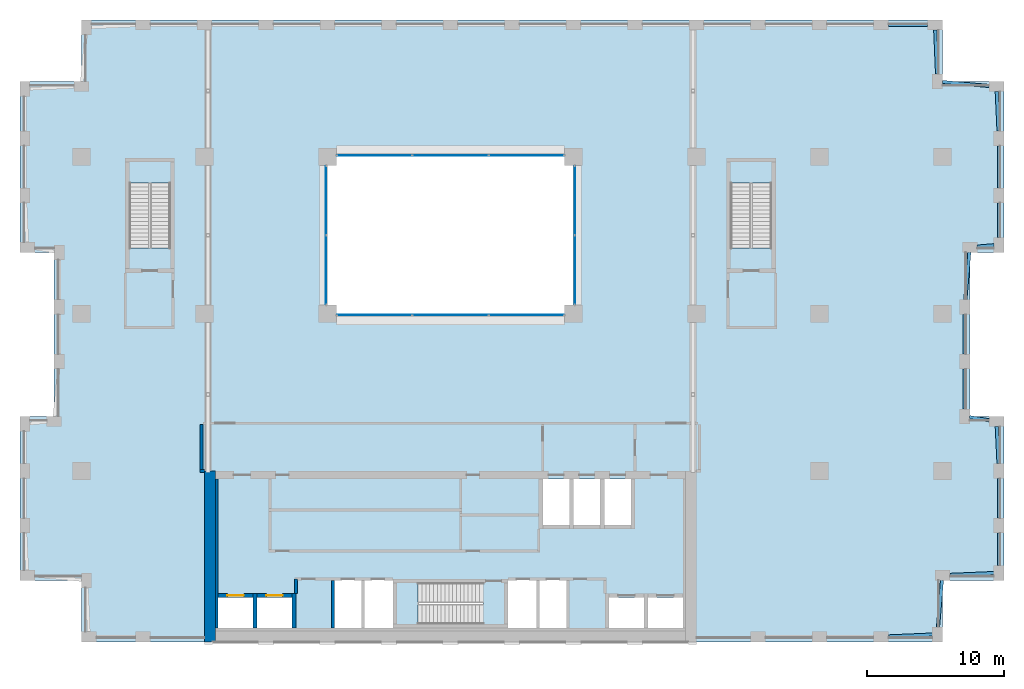
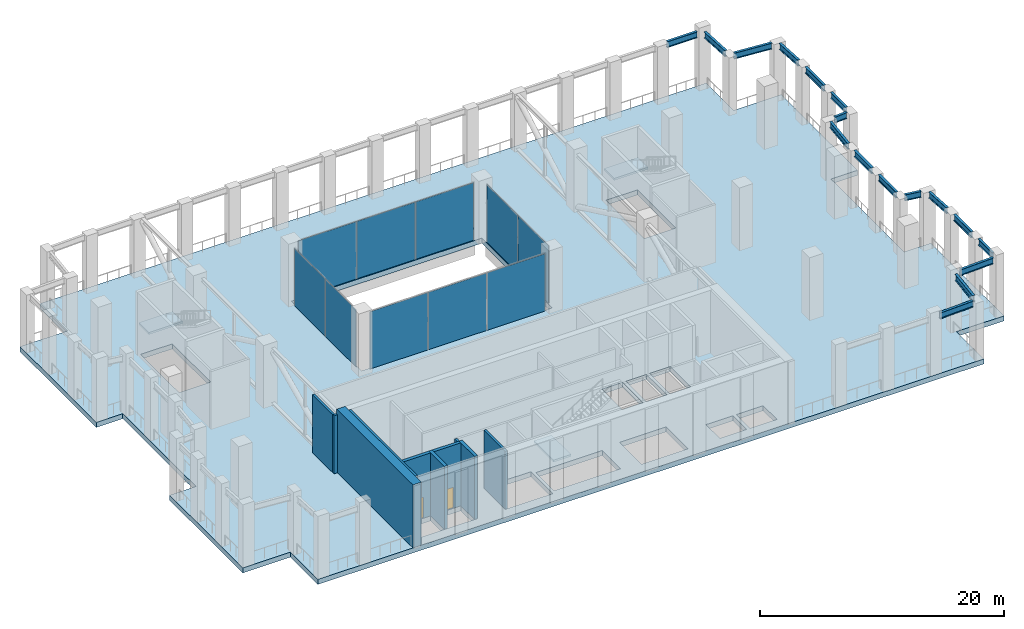
# One storey, part 9 of 14: 17 beams, 10 plates, 10 walls, 4 slabs, 2 doors, 2 openings, 7 elements without a shape of their own.
"""IFC4 building model written with IfcOpenShell, lengths in metres."""

from ifc_helpers import new_model, si_unit, direction, frame, frame_2d, origin, origin_2d, place, context, subcontext, project, spatial, polyline, rectangle, i_section, outline, extrude, material, layer, layer_set, material_profile, profile_set, type_object, element, fill, aggregate, save


model = new_model("IFC4")

# Units and contexts
model_context = context("Model", 3, precision=1e-05, world=origin(), true_north=direction((0.0, 1.0)))
body_context = subcontext(model_context, "Body", "Model", "MODEL_VIEW")
ifc_project = project(units=[si_unit("LENGTHUNIT", "METRE"), si_unit("AREAUNIT", "SQUARE_METRE"), si_unit("VOLUMEUNIT", "CUBIC_METRE"), si_unit("PLANEANGLEUNIT", "RADIAN"), si_unit("MASSUNIT", "GRAM", prefix="KILO")], contexts=[model_context])

# Site, building, storey
site_placement = place(None, origin())
site = spatial("IfcSite", under=ifc_project, at=site_placement, CompositionType="ELEMENT")
building_placement = place(site_placement, origin())
building = spatial("IfcBuilding", under=site, at=building_placement, Name="Brigalow Station Residences", CompositionType="ELEMENT")
storey_placement = place(building_placement, frame((0.0, 0.0, 130.800048828125)))
storey = spatial("IfcBuildingStorey", under=building, at=storey_placement, Name="L38", CompositionType="ELEMENT", Elevation=130.800048828125)

# Beams
ifc_material_1 = material(Name="Steel Grade 300 to AS/NZS 3679.1", Category="steel")
ifc_material_profile = material_profile(ifc_material_1, i_section(OverallWidth=0.22900390625, OverallDepth=0.611572265625, WebThickness=0.011962890625, FlangeThickness=0.01953125, FilletRadius=0.013916015625, at=origin_2d()), Name="610UB125")
ifc_profile_set = profile_set([ifc_material_profile], Name="Steel Grade 300 to AS/NZS 3679.1")
beam_type = type_object("IfcBeamType", Name="BELT GIRDER 610UB125", PredefinedType="USERDEFINED", material=ifc_profile_set)
beam_1_placement = place(storey_placement, frame((68.044921875, 0.398193359375, 5.494140625), z_axis=(0.999103857831, 0.042325893582, 0.0), x_axis=(-0.042325893582, 0.999103857831, 0.0)))
element("IfcBeam", 1, at=beam_1_placement, inside=storey, type_object=beam_type, Name="BELT GIRDER 4 L38", ObjectType="BELT GIRDER", PredefinedType="USERDEFINED", context=body_context, shape_type="SweptSolid", body=[
    extrude(i_section(OverallWidth=0.22900390625, OverallDepth=0.611572265625, WebThickness=0.011962890625, FlangeThickness=0.01953125, FilletRadius=0.013916015625, at=origin_2d()), origin(), (0.0, 0.0, 1.0), 3.212890625),
])
beam_2_placement = place(storey_placement, frame((71.671875, 1.090087890625, 5.494140625), z_axis=(0.086341124903, 0.996265632324, 0.0), x_axis=(-0.996265632324, 0.086341124903, 0.0)))
element("IfcBeam", 2, at=beam_2_placement, inside=storey, type_object=beam_type, Name="BELT GIRDER 5 L38", ObjectType="BELT GIRDER", PredefinedType="USERDEFINED", context=body_context, shape_type="SweptSolid", body=[
    extrude(i_section(OverallWidth=0.22900390625, OverallDepth=0.611572265625, WebThickness=0.011962890625, FlangeThickness=0.01953125, FilletRadius=0.013916015625, at=origin_2d()), origin(), (0.0, 0.0, 1.0), 3.432861328125),
])
beam_3_placement = place(storey_placement, frame((72.544921875, 4.898193359375, 5.494140625), z_axis=(0.999103857831, 0.042325893582, 0.0), x_axis=(-0.042325893582, 0.999103857831, 0.0)))
element("IfcBeam", 3, at=beam_3_placement, inside=storey, type_object=beam_type, Name="BELT GIRDER 6 L38", ObjectType="BELT GIRDER", PredefinedType="USERDEFINED", context=body_context, shape_type="SweptSolid", body=[
    extrude(i_section(OverallWidth=0.22900390625, OverallDepth=0.611572265625, WebThickness=0.011962890625, FlangeThickness=0.01953125, FilletRadius=0.013916015625, at=origin_2d()), origin(), (0.0, 0.0, 1.0), 3.212890625),
])
beam_4_placement = place(storey_placement, frame((76.125, 5.60009765625, 5.494140625), z_axis=(0.0, 1.0, 0.0), x_axis=(-1.0, 0.0, 0.0)))
element("IfcBeam", 4, at=beam_4_placement, inside=storey, type_object=beam_type, Name="BELT GIRDER 7 L38", ObjectType="BELT GIRDER", PredefinedType="USERDEFINED", context=body_context, shape_type="SweptSolid", body=[
    extrude(i_section(OverallWidth=0.22900390625, OverallDepth=0.611572265625, WebThickness=0.011962890625, FlangeThickness=0.01953125, FilletRadius=0.013916015625, at=origin_2d()), origin(), (0.0, 0.0, 1.0), 2.349853515625),
])
beam_5_placement = place(storey_placement, frame((76.125, 9.050048828125, 5.494140625), z_axis=(0.0, 1.0, 0.0), x_axis=(-1.0, 0.0, 0.0)))
element("IfcBeam", 5, at=beam_5_placement, inside=storey, type_object=beam_type, Name="BELT GIRDER 8 L38", ObjectType="BELT GIRDER", PredefinedType="USERDEFINED", context=body_context, shape_type="SweptSolid", body=[
    extrude(i_section(OverallWidth=0.22900390625, OverallDepth=0.611572265625, WebThickness=0.011962890625, FlangeThickness=0.01953125, FilletRadius=0.013916015625, at=origin_2d()), origin(), (0.0, 0.0, 1.0), 2.89990234375),
])
beam_6_placement = place(storey_placement, frame((76.098876953125, 13.0400390625, 5.494140625), z_axis=(-0.048233893259, 0.998836068402, 0.0), x_axis=(-0.998836068402, -0.048233893259, 0.0)))
element("IfcBeam", 6, at=beam_6_placement, inside=storey, type_object=beam_type, Name="BELT GIRDER 9 L38", ObjectType="BELT GIRDER", PredefinedType="USERDEFINED", context=body_context, shape_type="SweptSolid", body=[
    extrude(i_section(OverallWidth=0.22900390625, OverallDepth=0.611572265625, WebThickness=0.011962890625, FlangeThickness=0.01953125, FilletRadius=0.013916015625, at=origin_2d()), origin(), (0.0, 0.0, 1.0), 2.72314453125),
])
beam_7_placement = place(storey_placement, frame((75.420654296875, 16.21044921875, 5.494140625), z_axis=(-0.987247903459, 0.159190380097, 0.0), x_axis=(-0.159190380097, -0.987247903459, 0.0)))
element("IfcBeam", 7, at=beam_7_placement, inside=storey, type_object=beam_type, Name="BELT GIRDER 10 L38", ObjectType="BELT GIRDER", PredefinedType="USERDEFINED", context=body_context, shape_type="SweptSolid", body=[
    extrude(i_section(OverallWidth=0.22900390625, OverallDepth=0.611572265625, WebThickness=0.011962890625, FlangeThickness=0.01953125, FilletRadius=0.013916015625, at=origin_2d()), origin(), (0.0, 0.0, 1.0), 1.4599609375),
])
for number, where, z_axis, x_axis, name in (
    (8, (73.625, 17.050048828125, 5.494140625), (0.0, 1.0, 0.0), (-1.0, 0.0, 0.0), "BELT GIRDER 11 L38"),
    (9, (73.625, 21.050048828125, 5.494140625), (0.0, 1.0, 0.0), (-1.0, 0.0, 0.0), "BELT GIRDER 12 L38"),
):
    element("IfcBeam", number, at=place(storey_placement, frame(where, z_axis=z_axis, x_axis=x_axis)), inside=storey, type_object=beam_type, Name=name, ObjectType="BELT GIRDER", PredefinedType="USERDEFINED", context=body_context, shape_type="SweptSolid", body=[
        extrude(i_section(OverallWidth=0.22900390625, OverallDepth=0.611572265625, WebThickness=0.011962890625, FlangeThickness=0.01953125, FilletRadius=0.013916015625, at=origin_2d()), origin(), (0.0, 0.0, 1.0), 2.89990234375),
    ])
beam_8_placement = place(storey_placement, frame((73.67138671875, 25.0400390625, 5.494140625), z_axis=(0.085383246783, 0.9963481827, 0.0), x_axis=(-0.9963481827, 0.085383246783, 0.0)))
element("IfcBeam", 10, at=beam_8_placement, inside=storey, type_object=beam_type, Name="BELT GIRDER 13 L38", ObjectType="BELT GIRDER", PredefinedType="USERDEFINED", context=body_context, shape_type="SweptSolid", body=[
    extrude(i_section(OverallWidth=0.22900390625, OverallDepth=0.611572265625, WebThickness=0.011962890625, FlangeThickness=0.01953125, FilletRadius=0.013916015625, at=origin_2d()), origin(), (0.0, 0.0, 1.0), 3.482666015625),
])
beam_9_placement = place(storey_placement, frame((74.5400390625, 28.91943359375, 5.494140625), z_axis=(0.996618274254, 0.082170648187, 0.0), x_axis=(-0.082170648187, 0.996618274254, 0.0)))
element("IfcBeam", 11, at=beam_9_placement, inside=storey, type_object=beam_type, Name="BELT GIRDER 14 L38", ObjectType="BELT GIRDER", PredefinedType="USERDEFINED", context=body_context, shape_type="SweptSolid", body=[
    extrude(i_section(OverallWidth=0.22900390625, OverallDepth=0.611572265625, WebThickness=0.011962890625, FlangeThickness=0.01953125, FilletRadius=0.013916015625, at=origin_2d()), origin(), (0.0, 0.0, 1.0), 1.22412109375),
])
beam_10_placement = place(storey_placement, frame((76.125, 29.60009765625, 5.494140625), z_axis=(0.0, 1.0, 0.0), x_axis=(-1.0, 0.0, 0.0)))
element("IfcBeam", 12, at=beam_10_placement, inside=storey, type_object=beam_type, Name="BELT GIRDER 15 L38", ObjectType="BELT GIRDER", PredefinedType="USERDEFINED", context=body_context, shape_type="SweptSolid", body=[
    extrude(i_section(OverallWidth=0.22900390625, OverallDepth=0.611572265625, WebThickness=0.011962890625, FlangeThickness=0.01953125, FilletRadius=0.013916015625, at=origin_2d()), origin(), (0.0, 0.0, 1.0), 2.516845703125),
])
beam_11_placement = place(storey_placement, frame((76.125, 33.217041015625, 5.494140625), z_axis=(0.0, 1.0, 0.0), x_axis=(-1.0, 0.0, 0.0)))
element("IfcBeam", 13, at=beam_11_placement, inside=storey, type_object=beam_type, Name="BELT GIRDER 16 L38", ObjectType="BELT GIRDER", PredefinedType="USERDEFINED", context=body_context, shape_type="SweptSolid", body=[
    extrude(i_section(OverallWidth=0.22900390625, OverallDepth=0.611572265625, WebThickness=0.011962890625, FlangeThickness=0.01953125, FilletRadius=0.013916015625, at=origin_2d()), origin(), (0.0, 0.0, 1.0), 3.06591796875),
])
beam_12_placement = place(storey_placement, frame((76.099853515625, 37.3779296875, 5.494140625), z_axis=(-0.046115177726, 0.998936129281, 0.0), x_axis=(-0.998936129281, -0.046115177726, 0.0)))
element("IfcBeam", 14, at=beam_12_placement, inside=storey, type_object=beam_type, Name="BELT GIRDER 17 L38", ObjectType="BELT GIRDER", PredefinedType="USERDEFINED", context=body_context, shape_type="SweptSolid", body=[
    extrude(i_section(OverallWidth=0.22900390625, OverallDepth=0.611572265625, WebThickness=0.011962890625, FlangeThickness=0.01953125, FilletRadius=0.013916015625, at=origin_2d()), origin(), (0.0, 0.0, 1.0), 2.880126953125),
])
beam_13_placement = place(storey_placement, frame((75.409912109375, 40.671875, 5.494140625), z_axis=(-0.996265632324, 0.086341124903, 0.0), x_axis=(-0.086341124903, -0.996265632324, 0.0)))
element("IfcBeam", 15, at=beam_13_placement, inside=storey, type_object=beam_type, Name="BELT GIRDER 18 L38", ObjectType="BELT GIRDER", PredefinedType="USERDEFINED", context=body_context, shape_type="SweptSolid", body=[
    extrude(i_section(OverallWidth=0.22900390625, OverallDepth=0.611572265625, WebThickness=0.011962890625, FlangeThickness=0.01953125, FilletRadius=0.013916015625, at=origin_2d()), origin(), (0.0, 0.0, 1.0), 3.432861328125),
])
beam_14_placement = place(storey_placement, frame((71.601806640625, 41.544921875, 5.494140625), z_axis=(-0.042325893582, 0.999103857831, 0.0), x_axis=(-0.999103857831, -0.042325893582, 0.0)))
element("IfcBeam", 16, at=beam_14_placement, inside=storey, type_object=beam_type, Name="BELT GIRDER 19 L38", ObjectType="BELT GIRDER", PredefinedType="USERDEFINED", context=body_context, shape_type="SweptSolid", body=[
    extrude(i_section(OverallWidth=0.22900390625, OverallDepth=0.611572265625, WebThickness=0.011962890625, FlangeThickness=0.01953125, FilletRadius=0.013916015625, at=origin_2d()), origin(), (0.0, 0.0, 1.0), 3.212890625),
])
beam_15_placement = place(storey_placement, frame((70.89990234375, 45.125, 5.494140625), z_axis=(-1.0, 0.0, 0.0), x_axis=(0.0, -1.0, 0.0)))
element("IfcBeam", 17, at=beam_15_placement, inside=storey, type_object=beam_type, Name="BELT GIRDER 20 L38", ObjectType="BELT GIRDER", PredefinedType="USERDEFINED", context=body_context, shape_type="SweptSolid", body=[
    extrude(i_section(OverallWidth=0.22900390625, OverallDepth=0.611572265625, WebThickness=0.011962890625, FlangeThickness=0.01953125, FilletRadius=0.013916015625, at=origin_2d()), origin(), (0.0, 0.0, 1.0), 2.849853515625),
])

# Curtain wall, plates
ifc_material_2 = material(Name="Aluminium", Category="aluminium")
ifc_layer_1 = layer(ifc_material_2, 0.14990234375)
ifc_layer_set_1 = layer_set([ifc_layer_1], Name="ATRIUM FIRE-RATED GLAZING CURTAIN WALL")
curtain_wall_type = type_object("IfcCurtainWallType", Name="ATRIUM FIRE-RATED GLAZING CURTAIN WALL", PredefinedType="NOTDEFINED", material=ifc_layer_set_1)
curtain_wall_1_placement = place(storey_placement, origin())
curtain_wall_1 = element("IfcCurtainWall", 18, at=curtain_wall_1_placement, inside=storey, type_object=curtain_wall_type, Name="L38/cw/atrium-S", PredefinedType="NOTDEFINED")
ifc_material_3 = material(Name="Fire-resisting laminated glazing, FRL -/60/-", Category="glass")
ifc_layer_2 = layer(ifc_material_3, 0.031982421875)
ifc_layer_set_2 = layer_set([ifc_layer_2], Name="ATRIUM FIRE-RATED GLAZING PANEL 32")
plate_type = type_object("IfcPlateType", Name="ATRIUM FIRE-RATED GLAZING PANEL 32", PredefinedType="CURTAIN_PANEL", material=ifc_layer_set_2)
plate_1_placement = place(storey_placement, frame((30.4482421875, 23.89990234375, 0.0), z_axis=(0.0, 0.0, 1.0), x_axis=(1.0, 0.0, 0.0)))
plate_1 = element("IfcPlate", 19, at=plate_1_placement, type_object=plate_type, Name="L38/cw/atrium-S/P00-00", PredefinedType="CURTAIN_PANEL", context=body_context, shape_type="SweptSolid", body=[
    extrude(rectangle(XDim=5.476806640625, YDim=0.031982421875, at=origin_2d()), origin(), (0.0, 0.0, 1.0), 5.739990234375),
])
plate_2_placement = place(storey_placement, frame((36.0, 23.89990234375, 0.0), z_axis=(0.0, 0.0, 1.0), x_axis=(1.0, 0.0, 0.0)))
plate_2 = element("IfcPlate", 20, at=plate_2_placement, type_object=plate_type, Name="L38/cw/atrium-S/P01-00", PredefinedType="CURTAIN_PANEL", context=body_context, shape_type="SweptSolid", body=[
    extrude(rectangle(XDim=5.506591796875, YDim=0.031982421875, at=origin_2d()), origin(), (0.0, 0.0, 1.0), 5.739990234375),
])
plate_3_placement = place(storey_placement, frame((41.5517578125, 23.89990234375, 0.0), z_axis=(0.0, 0.0, 1.0), x_axis=(1.0, 0.0, 0.0)))
plate_3 = element("IfcPlate", 21, at=plate_3_placement, type_object=plate_type, Name="L38/cw/atrium-S/P02-00", PredefinedType="CURTAIN_PANEL", context=body_context, shape_type="SweptSolid", body=[
    extrude(rectangle(XDim=5.476806640625, YDim=0.031982421875, at=origin_2d()), origin(), (0.0, 0.0, 1.0), 5.739990234375),
])
aggregate(curtain_wall_1, [plate_1, plate_2, plate_3])

curtain_wall_2_placement = place(storey_placement, origin())
curtain_wall_2 = element("IfcCurtainWall", 22, at=curtain_wall_2_placement, inside=storey, type_object=curtain_wall_type, Name="L38/cw/atrium-E", PredefinedType="NOTDEFINED")
plate_4_placement = place(storey_placement, frame((45.10009765625, 27.215087890625, 0.0), z_axis=(0.0, 0.0, 1.0), x_axis=(0.0, 1.0, 0.0)))
plate_4 = element("IfcPlate", 23, at=plate_4_placement, type_object=plate_type, Name="L38/cw/atrium-E/P00-00", PredefinedType="CURTAIN_PANEL", context=body_context, shape_type="SweptSolid", body=[
    extrude(rectangle(XDim=5.010009765625, YDim=0.031982421875, at=origin_2d()), origin(), (0.0, 0.0, 1.0), 5.739990234375),
])
plate_5_placement = place(storey_placement, frame((45.10009765625, 32.284912109375, 0.0), z_axis=(0.0, 0.0, 1.0), x_axis=(0.0, 1.0, 0.0)))
plate_5 = element("IfcPlate", 24, at=plate_5_placement, type_object=plate_type, Name="L38/cw/atrium-E/P01-00", PredefinedType="CURTAIN_PANEL", context=body_context, shape_type="SweptSolid", body=[
    extrude(rectangle(XDim=5.010009765625, YDim=0.031982421875, at=origin_2d()), origin(), (0.0, 0.0, 1.0), 5.739990234375),
])
aggregate(curtain_wall_2, [plate_4, plate_5])

curtain_wall_3_placement = place(storey_placement, origin())
curtain_wall_3 = element("IfcCurtainWall", 25, at=curtain_wall_3_placement, inside=storey, type_object=curtain_wall_type, Name="L38/cw/atrium-N", PredefinedType="NOTDEFINED")
plate_6_placement = place(storey_placement, frame((41.5517578125, 35.60009765625, 0.0), z_axis=(0.0, 0.0, 1.0), x_axis=(-1.0, 0.0, 0.0)))
plate_6 = element("IfcPlate", 26, at=plate_6_placement, type_object=plate_type, Name="L38/cw/atrium-N/P00-00", PredefinedType="CURTAIN_PANEL", context=body_context, shape_type="SweptSolid", body=[
    extrude(rectangle(XDim=5.476806640625, YDim=0.031982421875, at=origin_2d()), origin(), (0.0, 0.0, 1.0), 5.739990234375),
])
plate_7_placement = place(storey_placement, frame((36.0, 35.60009765625, 0.0), z_axis=(0.0, 0.0, 1.0), x_axis=(-1.0, 0.0, 0.0)))
plate_7 = element("IfcPlate", 27, at=plate_7_placement, type_object=plate_type, Name="L38/cw/atrium-N/P01-00", PredefinedType="CURTAIN_PANEL", context=body_context, shape_type="SweptSolid", body=[
    extrude(rectangle(XDim=5.506591796875, YDim=0.031982421875, at=origin_2d()), origin(), (0.0, 0.0, 1.0), 5.739990234375),
])
plate_8_placement = place(storey_placement, frame((30.4482421875, 35.60009765625, 0.0), z_axis=(0.0, 0.0, 1.0), x_axis=(-1.0, 0.0, 0.0)))
plate_8 = element("IfcPlate", 28, at=plate_8_placement, type_object=plate_type, Name="L38/cw/atrium-N/P02-00", PredefinedType="CURTAIN_PANEL", context=body_context, shape_type="SweptSolid", body=[
    extrude(rectangle(XDim=5.476806640625, YDim=0.031982421875, at=origin_2d()), origin(), (0.0, 0.0, 1.0), 5.739990234375),
])
aggregate(curtain_wall_3, [plate_6, plate_7, plate_8])

curtain_wall_4_placement = place(storey_placement, origin())
curtain_wall_4 = element("IfcCurtainWall", 29, at=curtain_wall_4_placement, inside=storey, type_object=curtain_wall_type, Name="L38/cw/atrium-W", PredefinedType="NOTDEFINED")
plate_9_placement = place(storey_placement, frame((26.89990234375, 32.284912109375, 0.0), z_axis=(0.0, 0.0, 1.0), x_axis=(0.0, -1.0, 0.0)))
plate_9 = element("IfcPlate", 30, at=plate_9_placement, type_object=plate_type, Name="L38/cw/atrium-W/P00-00", PredefinedType="CURTAIN_PANEL", context=body_context, shape_type="SweptSolid", body=[
    extrude(rectangle(XDim=5.010009765625, YDim=0.031982421875, at=origin_2d()), origin(), (0.0, 0.0, 1.0), 5.739990234375),
])
plate_10_placement = place(storey_placement, frame((26.89990234375, 27.215087890625, 0.0), z_axis=(0.0, 0.0, 1.0), x_axis=(0.0, -1.0, 0.0)))
plate_10 = element("IfcPlate", 31, at=plate_10_placement, type_object=plate_type, Name="L38/cw/atrium-W/P01-00", PredefinedType="CURTAIN_PANEL", context=body_context, shape_type="SweptSolid", body=[
    extrude(rectangle(XDim=5.010009765625, YDim=0.031982421875, at=origin_2d()), origin(), (0.0, 0.0, 1.0), 5.739990234375),
])
aggregate(curtain_wall_4, [plate_9, plate_10])

# Slab
ifc_material_4 = material(Name="Concrete C50", Category="concrete")
ifc_layer_3 = layer(ifc_material_4, 0.5)
ifc_layer_set_3 = layer_set([ifc_layer_3], Name="REINFORCED WIND FLOOR SLAB 500 C50")
slab_type_1 = type_object("IfcSlabType", Name="REINFORCED WIND FLOOR SLAB 500 C50", PredefinedType="FLOOR", material=ifc_layer_set_3)
slab_1_placement = place(storey_placement, frame((0.0, 0.0, -0.5)))
element("IfcSlab", 32, at=slab_1_placement, inside=storey, type_object=slab_type_1, Name="FLOOR SLAB L38", PredefinedType="FLOOR", context=body_context, shape_type="SweptSolid", body=[
    extrude(outline(polyline([(9.0, 0.0), (72.0, 0.0), (72.0, 4.5), (76.5, 4.5), (76.5, 16.5), (74.0, 16.5), (74.0, 28.5), (76.5, 28.5), (76.5, 41.0), (72.0, 41.0), (72.0, 45.5), (9.0, 45.5), (9.0, 41.0), (4.5, 41.0), (4.5, 28.5), (7.0, 28.5), (7.0, 16.5), (4.5, 16.5), (4.5, 4.5), (9.0, 4.5), (9.0, 0.0)]), holes=[polyline([(12.5048828125, 35.094970703125), (15.4951171875, 35.094970703125), (15.4951171875, 28.804931640625), (12.5048828125, 28.804931640625), (12.5048828125, 35.094970703125)]), polyline([(19.0, 1.0), (19.0, 3.25), (21.550048828125, 3.25), (21.550048828125, 1.0), (19.0, 1.0)]), polyline([(21.85009765625, 3.25), (24.39990234375, 3.25), (24.39990234375, 1.0), (21.85009765625, 1.0), (21.85009765625, 3.25)]), polyline([(27.0, 35.5), (45.0, 35.5), (45.0, 24.0), (27.0, 24.0), (27.0, 35.5)]), polyline([(29.60009765625, 4.60009765625), (31.800048828125, 4.60009765625), (31.800048828125, 1.0), (29.60009765625, 1.0), (27.39990234375, 1.0), (27.39990234375, 4.60009765625), (29.60009765625, 4.60009765625)]), polyline([(32.10498046875, 4.294921875), (38.39501953125, 4.294921875), (38.39501953125, 1.304931640625), (32.10498046875, 1.304931640625), (32.10498046875, 4.294921875)]), polyline([(40.199951171875, 4.60009765625), (42.39990234375, 4.60009765625), (44.60009765625, 4.60009765625), (44.60009765625, 1.0), (42.39990234375, 1.0), (40.199951171875, 1.0), (40.199951171875, 4.60009765625)]), polyline([(42.75, 11.89990234375), (44.699951171875, 11.89990234375), (44.699951171875, 8.550048828125), (42.75, 8.550048828125), (42.75, 11.89990234375)]), polyline([(45.0, 11.89990234375), (46.949951171875, 11.89990234375), (46.949951171875, 8.550048828125), (45.0, 8.550048828125), (45.0, 11.89990234375)]), polyline([(47.25, 11.89990234375), (49.199951171875, 11.89990234375), (49.199951171875, 8.550048828125), (47.25, 8.550048828125), (47.25, 11.89990234375)]), polyline([(47.60009765625, 3.25), (50.14990234375, 3.25), (50.14990234375, 1.0), (47.60009765625, 1.0), (47.60009765625, 3.25)]), polyline([(50.449951171875, 3.25), (53.0, 3.25), (53.0, 1.0), (50.449951171875, 1.0), (50.449951171875, 3.25)]), polyline([(56.5048828125, 35.094970703125), (59.4951171875, 35.094970703125), (59.4951171875, 28.804931640625), (56.5048828125, 28.804931640625), (56.5048828125, 35.094970703125)])]), origin(), (0.0, 0.0, 1.0), 0.5),
])

# Stair, slab
ifc_material_5 = material(Name="Concrete C50", Category="concrete")
stair_type = type_object("IfcStairType", Name="EXIT STAIR 1400 2 FLIGHT", PredefinedType="HALF_TURN_STAIR", material=ifc_material_5)
stair_1_placement = place(storey_placement, origin())
stair_1 = element("IfcStair", 33, at=stair_1_placement, inside=storey, type_object=stair_type, Name="EXIT STAIR S2 L38", PredefinedType="HALF_TURN_STAIR")
ifc_material_6 = material(Name="Concrete C50", Category="concrete")
ifc_layer_4 = layer(ifc_material_6, 0.199951171875)
ifc_layer_set_4 = layer_set([ifc_layer_4], Name="STAIR LANDING 200")
slab_type_2 = type_object("IfcSlabType", Name="STAIR LANDING 200", PredefinedType="LANDING", material=ifc_layer_set_4)
slab_2_placement = place(storey_placement, frame((0.0, 0.0, 2.949951171875)))
slab_2 = element("IfcSlab", 34, at=slab_2_placement, type_object=slab_type_2, Name="ST-2 landing 1", PredefinedType="LANDING", context=body_context, shape_type="SweptSolid", body=[
    extrude(outline(polyline([(32.0, 1.199951171875), (33.639892578125, 1.199951171875), (33.639892578125, 4.39990234375), (32.0, 4.39990234375), (32.0, 1.199951171875)])), origin(), (0.0, 0.0, 1.0), 0.199951171875),
])
aggregate(stair_1, [slab_2])

stair_2_placement = place(storey_placement, origin())
stair_2 = element("IfcStair", 35, at=stair_2_placement, inside=storey, type_object=stair_type, Name="EXIT STAIR S1 L38", PredefinedType="HALF_TURN_STAIR")
slab_3_placement = place(storey_placement, frame((0.0, 0.0, 2.949951171875)))
slab_3 = element("IfcSlab", 36, at=slab_3_placement, type_object=slab_type_2, Name="ST-1 landing 1", PredefinedType="LANDING", context=body_context, shape_type="SweptSolid", body=[
    extrude(outline(polyline([(12.39990234375, 33.56005859375), (15.60009765625, 33.56005859375), (15.60009765625, 35.199951171875), (12.39990234375, 35.199951171875), (12.39990234375, 33.56005859375)])), origin(), (0.0, 0.0, 1.0), 0.199951171875),
])
aggregate(stair_2, [slab_3])

stair_3_placement = place(storey_placement, origin())
stair_3 = element("IfcStair", 37, at=stair_3_placement, inside=storey, type_object=stair_type, Name="EXIT STAIR S3 L38", PredefinedType="HALF_TURN_STAIR")
slab_4_placement = place(storey_placement, frame((0.0, 0.0, 2.949951171875)))
slab_4 = element("IfcSlab", 38, at=slab_4_placement, type_object=slab_type_2, Name="ST-3 landing 1", PredefinedType="LANDING", context=body_context, shape_type="SweptSolid", body=[
    extrude(outline(polyline([(56.39990234375, 33.56005859375), (59.60009765625, 33.56005859375), (59.60009765625, 35.199951171875), (56.39990234375, 35.199951171875), (56.39990234375, 33.56005859375)])), origin(), (0.0, 0.0, 1.0), 0.199951171875),
])
aggregate(stair_3, [slab_4])

# Wall
ifc_material_7 = material(Name="Concrete C65", Category="concrete")
ifc_layer_5 = layer(ifc_material_7, 0.199951171875)
ifc_layer_set_5 = layer_set([ifc_layer_5], Name="CORE SHEAR WALL 200 C65")
wall_type_1 = type_object("IfcWallType", Name="CORE SHEAR WALL 200 C65", PredefinedType="SHEAR", material=ifc_layer_set_5)
wall_1_placement = place(storey_placement, frame((18.89990234375, 1.0, 0.0), z_axis=(0.0, 0.0, 1.0), x_axis=(0.0, 1.0, 0.0)))
element("IfcWall", 39, at=wall_1_placement, inside=storey, type_object=wall_type_1, Name="CORE WALL LIN-W L38", PredefinedType="SHEAR", context=body_context, shape_type="SweptSolid", body=[
    extrude(rectangle(XDim=10.89990234375, YDim=0.199951171875, at=frame_2d((5.449951171875, 0.0))), origin(), (0.0, 0.0, 1.0), 6.300048828125),
])

# Wall, opening, door
ifc_material_8 = material(Name="Concrete C65", Category="concrete")
ifc_layer_6 = layer(ifc_material_8, 0.300048828125)
ifc_layer_set_6 = layer_set([ifc_layer_6], Name="CORE SHEAR WALL 300 C65")
wall_type_2 = type_object("IfcWallType", Name="CORE SHEAR WALL 300 C65", PredefinedType="SHEAR", material=ifc_layer_set_6)
wall_2_placement = place(storey_placement, frame((19.0, 3.39990234375, 0.0), z_axis=(0.0, 0.0, 1.0), x_axis=(1.0, 0.0, 0.0)))
wall_2 = element("IfcWall", 40, at=wall_2_placement, inside=storey, type_object=wall_type_2, Name="CORE WALL SH-C1-N L38", PredefinedType="SHEAR", context=body_context, shape_type="SweptSolid", body=[
    extrude(rectangle(XDim=2.550048828125, YDim=0.300048828125, at=frame_2d((1.27490234375, 0.0))), origin(), (0.0, 0.0, 1.0), 6.300048828125),
])
opening_1_placement = place(wall_2_placement, frame((0.675048828125, 0.0, 0.0)))
opening_1 = element("IfcOpeningElement", 41, at=opening_1_placement, cuts=wall_2, Name="Opening LD-LB1", PredefinedType="OPENING", context=body_context, shape_type="SweptSolid", body=[
    extrude(rectangle(XDim=1.199951171875, YDim=2.10009765625, at=frame_2d((0.60009765625, 1.050048828125))), frame((0.0, 0.16015625, 0.0), z_axis=(0.0, -1.0, 0.0), x_axis=(1.0, 0.0, 0.0)), (0.0, 0.0, 1.0), 0.320068359375),
])
ifc_material_9 = material(Name="Stainless steel sliding door leaves", Category="steel")
door_type = type_object("IfcDoorType", Name="LIFT LANDING DOOR 1200 x 2100", OperationType="DOUBLE_DOOR_SLIDING", PredefinedType="DOOR", material=ifc_material_9)
door_1_placement = place(opening_1_placement, origin())
door_1 = element("IfcDoor", 42, at=door_1_placement, inside=storey, type_object=door_type, Name="LANDING DOOR LB1", OperationType="DOUBLE_DOOR_SLIDING", OverallHeight=2.10009765625, OverallWidth=1.199951171875, PredefinedType="DOOR", context=body_context, shape_type="SweptSolid", body=[
    extrude(rectangle(XDim=1.199951171875, YDim=2.10009765625, at=frame_2d((0.60009765625, 1.050048828125))), frame((0.0, 0.02490234375, 0.0), z_axis=(0.0, -1.0, 0.0), x_axis=(1.0, 0.0, 0.0)), (0.0, 0.0, 1.0), 0.050048828125),
])
fill(opening_1, door_1)

wall_3_placement = place(storey_placement, frame((21.85009765625, 3.39990234375, 0.0), z_axis=(0.0, 0.0, 1.0), x_axis=(1.0, 0.0, 0.0)))
wall_3 = element("IfcWall", 43, at=wall_3_placement, inside=storey, type_object=wall_type_2, Name="CORE WALL SH-C2-N L38", PredefinedType="SHEAR", context=body_context, shape_type="SweptSolid", body=[
    extrude(rectangle(XDim=2.5498046875, YDim=0.300048828125, at=frame_2d((1.27490234375, 0.0))), origin(), (0.0, 0.0, 1.0), 6.300048828125),
])
opening_2_placement = place(wall_3_placement, frame((0.675048828125, 0.0, 0.0)))
opening_2 = element("IfcOpeningElement", 44, at=opening_2_placement, cuts=wall_3, Name="Opening LD-LB2", PredefinedType="OPENING", context=body_context, shape_type="SweptSolid", body=[
    extrude(rectangle(XDim=1.199951171875, YDim=2.10009765625, at=frame_2d((0.60009765625, 1.050048828125))), frame((0.0, 0.16015625, 0.0), z_axis=(0.0, -1.0, 0.0), x_axis=(1.0, 0.0, 0.0)), (0.0, 0.0, 1.0), 0.320068359375),
])
door_2_placement = place(opening_2_placement, origin())
door_2 = element("IfcDoor", 45, at=door_2_placement, inside=storey, type_object=door_type, Name="LANDING DOOR LB2", OperationType="DOUBLE_DOOR_SLIDING", OverallHeight=2.10009765625, OverallWidth=1.199951171875, PredefinedType="DOOR", context=body_context, shape_type="SweptSolid", body=[
    extrude(rectangle(XDim=1.199951171875, YDim=2.10009765625, at=frame_2d((0.60009765625, 1.050048828125))), frame((0.0, 0.02490234375, 0.0), z_axis=(0.0, -1.0, 0.0), x_axis=(1.0, 0.0, 0.0)), (0.0, 0.0, 1.0), 0.050048828125),
])
fill(opening_2, door_2)

# Walls
for number, where, z_axis, x_axis, name in (
    (46, (21.699951171875, 1.0, 0.0), (0.0, 0.0, 1.0), (0.0, 1.0, 0.0), "CORE WALL SH-C2-W L38"),
    (47, (24.550048828125, 1.0, 0.0), (0.0, 0.0, 1.0), (0.0, 1.0, 0.0), "CORE WALL SH-C2-E L38"),
):
    element("IfcWall", number, at=place(storey_placement, frame(where, z_axis=z_axis, x_axis=x_axis)), inside=storey, type_object=wall_type_2, Name=name, PredefinedType="SHEAR", context=body_context, shape_type="SweptSolid", body=[
        extrude(rectangle(XDim=2.550048828125, YDim=0.300048828125, at=frame_2d((1.27490234375, 0.0))), origin(), (0.0, 0.0, 1.0), 6.300048828125),
    ])
ifc_material_10 = material(Name="Concrete C65", Category="concrete")
ifc_layer_7 = layer(ifc_material_10, 0.800048828125)
ifc_layer_set_7 = layer_set([ifc_layer_7], Name="CORE SHEAR WALL 800 C65")
wall_type_3 = type_object("IfcWallType", Name="CORE SHEAR WALL 800 C65", PredefinedType="SHEAR", material=ifc_layer_set_7)
wall_4_placement = place(storey_placement, frame((18.39990234375, 0.0, 0.0), z_axis=(0.0, 0.0, 1.0), x_axis=(0.0, 1.0, 0.0)))
element("IfcWall", 48, at=wall_4_placement, inside=storey, type_object=wall_type_3, Name="CORE WALL OUT-W L38", PredefinedType="SHEAR", context=body_context, shape_type="SweptSolid", body=[
    extrude(rectangle(XDim=12.5, YDim=0.800048828125, at=frame_2d((6.25, 0.0))), origin(), (0.0, 0.0, 1.0), 6.300048828125),
])
ifc_material_11 = material(Name="Concrete blockwork", Category="masonry")
ifc_layer_8 = layer(ifc_material_11, 0.199951171875)
ifc_layer_set_8 = layer_set([ifc_layer_8], Name="FIRE RATED CORE PARTITION 200")
wall_type_4 = type_object("IfcWallType", Name="FIRE RATED CORE PARTITION 200", PredefinedType="PARTITIONING", material=ifc_layer_set_8)
wall_5_placement = place(storey_placement, frame((17.679931640625, 12.5, 0.0), z_axis=(0.0, 0.0, 1.0), x_axis=(1.0, 0.0, 0.0)))
element("IfcWall", 49, at=wall_5_placement, inside=storey, type_object=wall_type_4, Name="PW-5248", PredefinedType="PARTITIONING", context=body_context, shape_type="SweptSolid", body=[
    extrude(rectangle(XDim=0.320068359375, YDim=0.199951171875, at=frame_2d((0.16015625, 0.0))), origin(), (0.0, 0.0, 1.0), 5.800048828125),
])
wall_6_placement = place(storey_placement, frame((27.39990234375, 1.0, 0.0), z_axis=(0.0, 0.0, 1.0), x_axis=(0.0, 1.0, 0.0)))
element("IfcWall", 50, at=wall_6_placement, inside=storey, type_object=wall_type_4, Name="PW-5005", PredefinedType="PARTITIONING", context=body_context, shape_type="SweptSolid", body=[
    extrude(rectangle(XDim=3.5, YDim=0.199951171875, at=frame_2d((1.75, 0.0))), origin(), (0.0, 0.0, 1.0), 5.800048828125),
])
wall_7_placement = place(storey_placement, frame((24.699951171875, 3.550048828125, 0.0), z_axis=(0.0, 0.0, 1.0), x_axis=(0.0, 1.0, 0.0)))
element("IfcWall", 51, at=wall_7_placement, inside=storey, type_object=wall_type_4, Name="PW-5250", PredefinedType="PARTITIONING", context=body_context, shape_type="SweptSolid", body=[
    extrude(rectangle(XDim=1.050048828125, YDim=0.199951171875, at=frame_2d((0.52490234375, 0.0))), origin(), (0.0, 0.0, 1.0), 5.800048828125),
])
wall_8_placement = place(storey_placement, frame((17.780029296875, 12.60009765625, 0.0), z_axis=(0.0, 0.0, 1.0), x_axis=(0.0, 1.0, 0.0)))
element("IfcWall", 52, at=wall_8_placement, inside=storey, type_object=wall_type_4, Name="PW-5257", PredefinedType="PARTITIONING", context=body_context, shape_type="SweptSolid", body=[
    extrude(rectangle(XDim=3.2998046875, YDim=0.199951171875, at=frame_2d((1.64990234375, 0.0))), origin(), (0.0, 0.0, 1.0), 5.800048828125),
])

save(model, "model.ifc")
